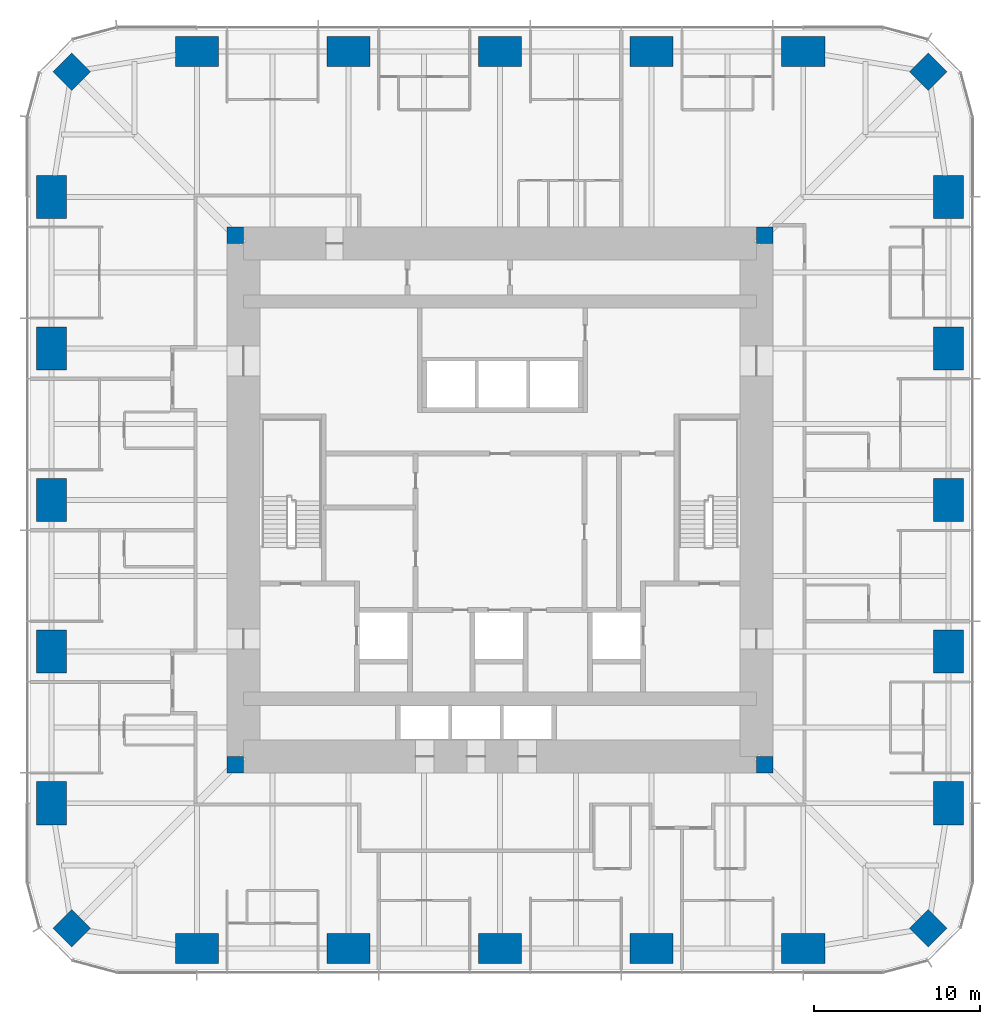
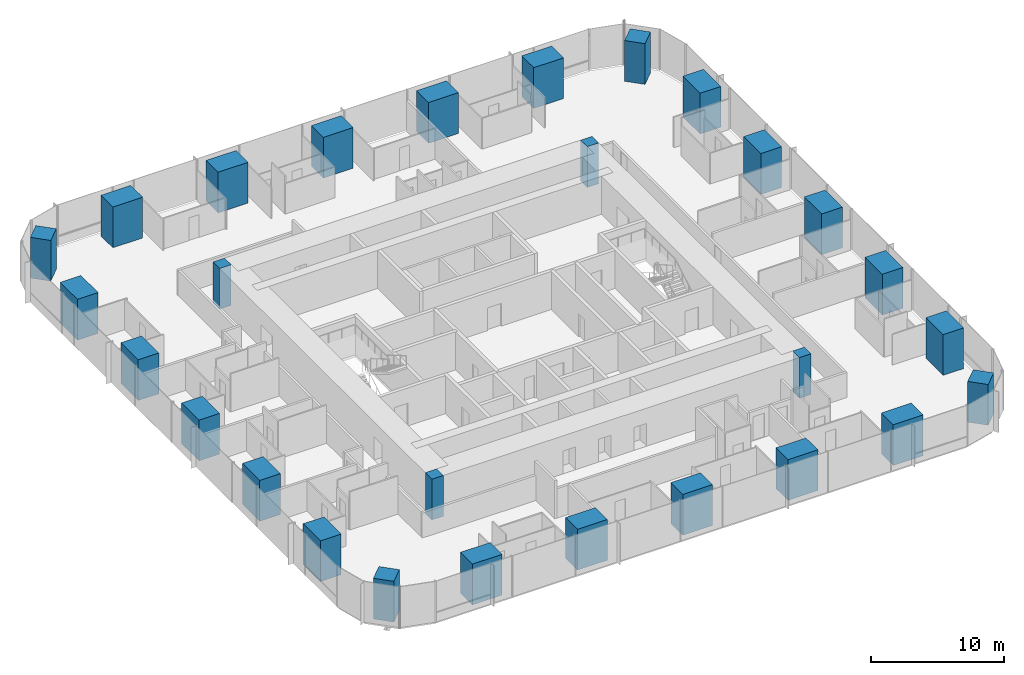
# One storey, part 1 of 13: 28 columns.
"""IFC4 building model written with IfcOpenShell, lengths in metres."""

from ifc_helpers import new_model, si_unit, direction, frame, origin, origin_2d, place, context, subcontext, project, spatial, rectangle, extrude, material, material_profile, profile_set, type_object, element, save


model = new_model("IFC4")

# Units and contexts
model_context = context("Model", 3, precision=1e-05, world=origin(), true_north=direction((0.0, 1.0)))
body_context = subcontext(model_context, "Body", "Model", "MODEL_VIEW")
ifc_project = project(units=[si_unit("LENGTHUNIT", "METRE"), si_unit("AREAUNIT", "SQUARE_METRE"), si_unit("VOLUMEUNIT", "CUBIC_METRE"), si_unit("PLANEANGLEUNIT", "RADIAN"), si_unit("MASSUNIT", "GRAM", prefix="KILO")], contexts=[model_context])

# Site, building, storey
site_placement = place(None, origin())
site = spatial("IfcSite", under=ifc_project, at=site_placement, CompositionType="ELEMENT")
building_placement = place(site_placement, origin())
building = spatial("IfcBuilding", under=site, at=building_placement, Name="Khuree Lantern Residences", CompositionType="ELEMENT")
storey_placement = place(building_placement, frame((0.0, 0.0, 163.5)))
storey = spatial("IfcBuildingStorey", under=building, at=storey_placement, Name="L41", CompositionType="ELEMENT", Elevation=163.5)

# Columns
ifc_material = material(Name="Concrete C70/85", Category="concrete")
ifc_material_profile_1 = material_profile(ifc_material, rectangle(XDim=1.60009765625, YDim=1.60009765625, at=origin_2d()), Name="RC 1600X1600")
ifc_profile_set_1 = profile_set([ifc_material_profile_1], Name="Concrete C70/85")
column_type_1 = type_object("IfcColumnType", Name="CC1600A PERIMETER CORNER COLUMN RC 1600X1600", PredefinedType="COLUMN", material=ifc_profile_set_1)
for number, where, z_axis, x_axis, name in (
    (1, (25.869873046875, 25.869873046875, 0.0), (0.0, 0.0, 1.0), (0.707106781187, -0.707106781187, 0.0), "Perimeter column NE"),
    (2, (25.869873046875, -25.869873046875, 0.0), (0.0, 0.0, 1.0), (0.707106781187, 0.707106781187, 0.0), "Perimeter column SE"),
    (3, (-25.869873046875, -25.869873046875, 0.0), (0.0, 0.0, 1.0), (0.707106781187, -0.707106781187, 0.0), "Perimeter column SW"),
    (4, (-25.869873046875, 25.869873046875, 0.0), (0.0, 0.0, 1.0), (0.707106781187, 0.707106781187, 0.0), "Perimeter column NW"),
):
    element("IfcColumn", number, at=place(storey_placement, frame(where, z_axis=z_axis, x_axis=x_axis)), inside=storey, type_object=column_type_1, Name=name, PredefinedType="COLUMN", context=body_context, shape_type="SweptSolid", body=[
        extrude(rectangle(XDim=1.60009765625, YDim=1.60009765625, at=origin_2d()), origin(), (0.0, 0.0, 1.0), 3.75),
    ])
ifc_material_profile_2 = material_profile(ifc_material, rectangle(XDim=1.0, YDim=1.0, at=origin_2d()), Name="RC 1000X1000")
ifc_profile_set_2 = profile_set([ifc_material_profile_2], Name="Concrete C70/85")
column_type_2 = type_object("IfcColumnType", Name="CP1000-C70 CORE CORNER PIER C70 RC 1000X1000", PredefinedType="COLUMN", material=ifc_profile_set_2)
for number, where, z_axis, x_axis, name in (
    (5, (16.0, 16.0, -0.25), (0.0, 0.0, 1.0), (1.0, 0.0, 0.0), "Core corner pier NE"),
    (6, (-16.0, 16.0, -0.25), (0.0, 0.0, 1.0), (1.0, 0.0, 0.0), "Core corner pier NW"),
    (7, (-16.0, -16.0, -0.25), (0.0, 0.0, 1.0), (1.0, 0.0, 0.0), "Core corner pier SW"),
    (8, (16.0, -16.0, -0.25), (0.0, 0.0, 1.0), (1.0, 0.0, 0.0), "Core corner pier SE"),
):
    element("IfcColumn", number, at=place(storey_placement, frame(where, z_axis=z_axis, x_axis=x_axis)), inside=storey, type_object=column_type_2, Name=name, PredefinedType="COLUMN", context=body_context, shape_type="SweptSolid", body=[
        extrude(rectangle(XDim=1.0, YDim=1.0, at=origin_2d()), origin(), (0.0, 0.0, 1.0), 3.75),
    ])
ifc_material_profile_3 = material_profile(ifc_material, rectangle(XDim=2.60009765625, YDim=1.800048828125, at=origin_2d()), Name="RC 2600X1800")
ifc_profile_set_3 = profile_set([ifc_material_profile_3], Name="Concrete C70/85")
column_type_3 = type_object("IfcColumnType", Name="PC3 PERIMETER COLUMN RC 2600X1800", PredefinedType="COLUMN", material=ifc_profile_set_3)
for number, where, z_axis, x_axis, name in (
    (9, (-18.320068359375, 27.10009765625, 0.0), (0.0, 0.0, 1.0), (1.0, 0.0, 0.0), "Perimeter column N1"),
    (10, (-9.159912109375, 27.10009765625, 0.0), (0.0, 0.0, 1.0), (1.0, 0.0, 0.0), "Perimeter column N2"),
    (11, (0.0, 27.10009765625, 0.0), (0.0, 0.0, 1.0), (1.0, 0.0, 0.0), "Perimeter column N3"),
    (12, (9.159912109375, 27.10009765625, 0.0), (0.0, 0.0, 1.0), (1.0, 0.0, 0.0), "Perimeter column N4"),
    (13, (18.320068359375, 27.10009765625, 0.0), (0.0, 0.0, 1.0), (1.0, 0.0, 0.0), "Perimeter column N5"),
    (14, (27.10009765625, 18.320068359375, 0.0), (0.0, 0.0, 1.0), (0.0, 1.0, 0.0), "Perimeter column E1"),
    (15, (27.10009765625, 9.159912109375, 0.0), (0.0, 0.0, 1.0), (0.0, 1.0, 0.0), "Perimeter column E2"),
    (16, (27.10009765625, 0.0, 0.0), (0.0, 0.0, 1.0), (0.0, 1.0, 0.0), "Perimeter column E3"),
    (17, (27.10009765625, -9.159912109375, 0.0), (0.0, 0.0, 1.0), (0.0, 1.0, 0.0), "Perimeter column E4"),
    (18, (27.10009765625, -18.320068359375, 0.0), (0.0, 0.0, 1.0), (0.0, 1.0, 0.0), "Perimeter column E5"),
    (19, (18.320068359375, -27.10009765625, 0.0), (0.0, 0.0, 1.0), (1.0, 0.0, 0.0), "Perimeter column S1"),
    (20, (9.159912109375, -27.10009765625, 0.0), (0.0, 0.0, 1.0), (1.0, 0.0, 0.0), "Perimeter column S2"),
    (21, (0.0, -27.10009765625, 0.0), (0.0, 0.0, 1.0), (1.0, 0.0, 0.0), "Perimeter column S3"),
    (22, (-9.159912109375, -27.10009765625, 0.0), (0.0, 0.0, 1.0), (1.0, 0.0, 0.0), "Perimeter column S4"),
    (23, (-18.320068359375, -27.10009765625, 0.0), (0.0, 0.0, 1.0), (1.0, 0.0, 0.0), "Perimeter column S5"),
    (24, (-27.10009765625, -18.320068359375, 0.0), (0.0, 0.0, 1.0), (0.0, 1.0, 0.0), "Perimeter column W1"),
    (25, (-27.10009765625, -9.159912109375, 0.0), (0.0, 0.0, 1.0), (0.0, 1.0, 0.0), "Perimeter column W2"),
    (26, (-27.10009765625, 0.0, 0.0), (0.0, 0.0, 1.0), (0.0, 1.0, 0.0), "Perimeter column W3"),
    (27, (-27.10009765625, 9.159912109375, 0.0), (0.0, 0.0, 1.0), (0.0, 1.0, 0.0), "Perimeter column W4"),
    (28, (-27.10009765625, 18.320068359375, 0.0), (0.0, 0.0, 1.0), (0.0, 1.0, 0.0), "Perimeter column W5"),
):
    element("IfcColumn", number, at=place(storey_placement, frame(where, z_axis=z_axis, x_axis=x_axis)), inside=storey, type_object=column_type_3, Name=name, PredefinedType="COLUMN", context=body_context, shape_type="SweptSolid", body=[
        extrude(rectangle(XDim=2.60009765625, YDim=1.800048828125, at=origin_2d()), origin(), (0.0, 0.0, 1.0), 3.75),
    ])

save(model, "model.ifc")
